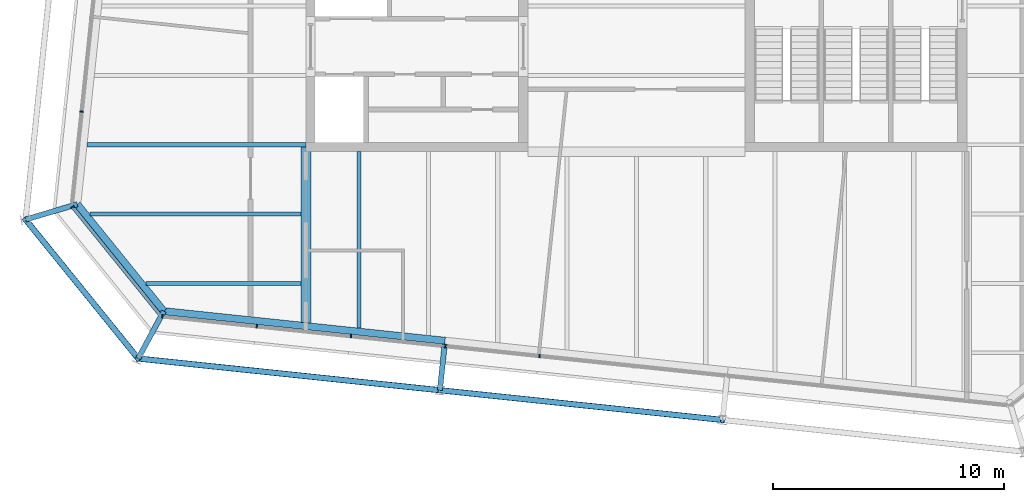
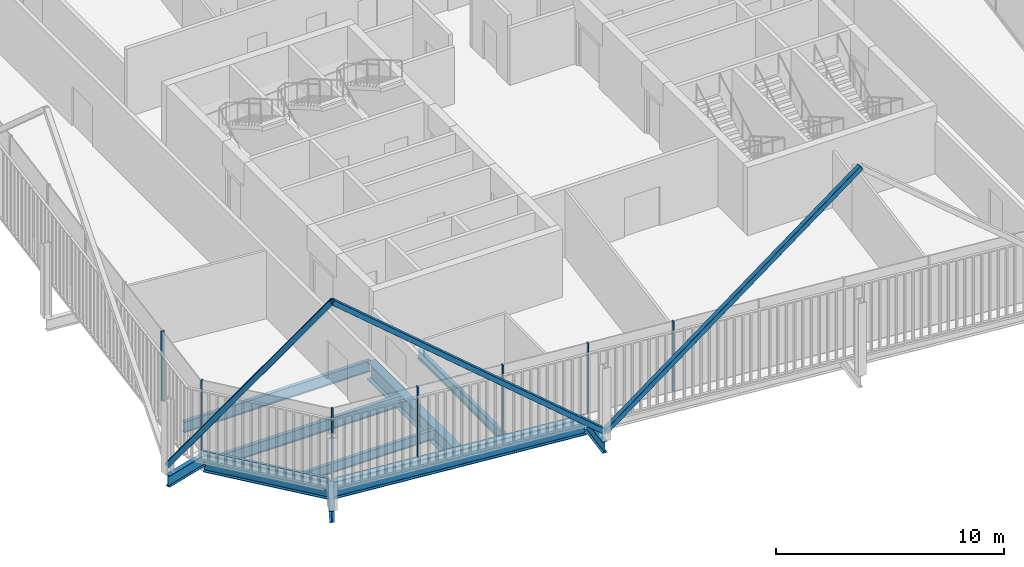
# One storey, part 3 of 21: 11 members, 10 beams, 3 elements without a shape of their own.
"""IFC4 building model written with IfcOpenShell, lengths in metres."""

from ifc_helpers import new_model, si_unit, direction, frame, origin, origin_2d, place, context, subcontext, project, spatial, rectangle, hollow_rectangle, i_section, extrude, material, layer, layer_set, material_profile, profile_set, type_object, element, aggregate, save


model = new_model("IFC4")

# Units and contexts
model_context = context("Model", 3, precision=1e-05, world=origin(), true_north=direction((0.0, 1.0)))
body_context = subcontext(model_context, "Body", "Model", "MODEL_VIEW")
ifc_project = project(units=[si_unit("LENGTHUNIT", "METRE"), si_unit("AREAUNIT", "SQUARE_METRE"), si_unit("VOLUMEUNIT", "CUBIC_METRE"), si_unit("PLANEANGLEUNIT", "RADIAN"), si_unit("MASSUNIT", "GRAM", prefix="KILO")], contexts=[model_context])

# Site, building, storey
site_placement = place(None, origin())
site = spatial("IfcSite", under=ifc_project, at=site_placement, CompositionType="ELEMENT")
building_placement = place(site_placement, origin())
building = spatial("IfcBuilding", under=site, at=building_placement, Name="Millrace Tower", CompositionType="ELEMENT")
storey_placement = place(building_placement, frame((0.0, 0.0, 307.199951171875)))
storey = spatial("IfcBuildingStorey", under=building, at=storey_placement, Name="L71", CompositionType="ELEMENT", Elevation=307.199951171875)

# Curtain wall, member
ifc_material_1 = material(Name="Aluminium and glass", Category="aluminium")
ifc_layer = layer(ifc_material_1, 0.14990234375)
ifc_layer_set = layer_set([ifc_layer], Name="Aluminium and glass")
curtain_wall_type = type_object("IfcCurtainWallType", Name="CW-1 office vision curtain wall", PredefinedType="NOTDEFINED", material=ifc_layer_set)
placement = place(storey_placement, origin())
curtain_wall_1 = element("IfcCurtainWall", 1, at=placement, inside=storey, type_object=curtain_wall_type, Name="Curtain wall E-F01 L71", PredefinedType="NOTDEFINED")
ifc_material_2 = material(Name="Aluminium", Category="aluminium")
ifc_material_profile_1 = material_profile(ifc_material_2, rectangle(XDim=0.06494140625, YDim=0.14990234375, at=origin_2d()))
ifc_profile_set_1 = profile_set([ifc_material_profile_1], Name="Aluminium")
member_type_1 = type_object("IfcMemberType", Name="CW-1 office vision curtain wall mullion", PredefinedType="MULLION", material=ifc_profile_set_1)
member_1_placement = place(storey_placement, frame((-24.391845703125, -11.693359375, 0.14013671875), z_axis=(0.0, 0.0, 1.0), x_axis=(0.629320278945, -0.777146052237, 0.0)))
member_1 = element("IfcMember", 2, at=member_1_placement, type_object=member_type_1, Name="CW1 mullion E-F01.1", PredefinedType="MULLION", context=body_context, shape_type="SweptSolid", body=[
    extrude(rectangle(XDim=0.06494140625, YDim=0.14990234375, at=origin_2d()), origin(), (0.0, 0.0, 1.0), 3.760009765625),
])

# Curtain wall, members
curtain_wall_2 = element("IfcCurtainWall", 3, at=placement, inside=storey, type_object=curtain_wall_type, Name="Curtain wall E-F02 L71", PredefinedType="NOTDEFINED")
member_2_placement = place(storey_placement, frame((-20.50244140625, -16.4248046875, 0.14013671875), z_axis=(0.0, 0.0, 1.0), x_axis=(0.994521896217, -0.104528455196, 0.0)))
member_2 = element("IfcMember", 4, at=member_2_placement, type_object=member_type_1, Name="CW1 mullion E-F02.1", PredefinedType="MULLION", context=body_context, shape_type="SweptSolid", body=[
    extrude(rectangle(XDim=0.06494140625, YDim=0.14990234375, at=origin_2d()), origin(), (0.0, 0.0, 1.0), 3.760009765625),
])
member_3_placement = place(storey_placement, frame((-16.425048828125, -16.853271484375, 0.14013671875), z_axis=(0.0, 0.0, 1.0), x_axis=(0.994521896217, -0.104528455196, 0.0)))
member_3 = element("IfcMember", 5, at=member_3_placement, type_object=member_type_1, Name="CW1 mullion E-F02.2", PredefinedType="MULLION", context=body_context, shape_type="SweptSolid", body=[
    extrude(rectangle(XDim=0.06494140625, YDim=0.14990234375, at=origin_2d()), origin(), (0.0, 0.0, 1.0), 3.760009765625),
])
member_4_placement = place(storey_placement, frame((-12.347412109375, -17.281982421875, 0.14013671875), z_axis=(0.0, 0.0, 1.0), x_axis=(0.994521896217, -0.104528455196, 0.0)))
member_4 = element("IfcMember", 6, at=member_4_placement, type_object=member_type_1, Name="CW1 mullion E-F02.3", PredefinedType="MULLION", context=body_context, shape_type="SweptSolid", body=[
    extrude(rectangle(XDim=0.06494140625, YDim=0.14990234375, at=origin_2d()), origin(), (0.0, 0.0, 1.0), 3.760009765625),
])
member_5_placement = place(storey_placement, frame((-8.269775390625, -17.71044921875, 0.14013671875), z_axis=(0.0, 0.0, 1.0), x_axis=(0.994521896217, -0.104528455196, 0.0)))
member_5 = element("IfcMember", 7, at=member_5_placement, type_object=member_type_1, Name="CW1 mullion E-F02.4", PredefinedType="MULLION", context=body_context, shape_type="SweptSolid", body=[
    extrude(rectangle(XDim=0.06494140625, YDim=0.14990234375, at=origin_2d()), origin(), (0.0, 0.0, 1.0), 3.760009765625),
])
member_6_placement = place(storey_placement, frame((-4.1923828125, -18.13916015625, 0.14013671875), z_axis=(0.0, 0.0, 1.0), x_axis=(0.994521896217, -0.104528455196, 0.0)))
member_6 = element("IfcMember", 8, at=member_6_placement, type_object=member_type_1, Name="CW1 mullion E-F02.5", PredefinedType="MULLION", context=body_context, shape_type="SweptSolid", body=[
    extrude(rectangle(XDim=0.06494140625, YDim=0.14990234375, at=origin_2d()), origin(), (0.0, 0.0, 1.0), 3.760009765625),
])
aggregate(curtain_wall_2, [member_2, member_3, member_4, member_5, member_6])

# Curtain wall, member
curtain_wall_3 = element("IfcCurtainWall", 9, at=placement, inside=storey, type_object=curtain_wall_type, Name="Curtain wall E-F08 L71", PredefinedType="NOTDEFINED")
member_7_placement = place(storey_placement, frame((-24.00341796875, -7.56787109375, 0.14013671875), z_axis=(0.0, 0.0, 1.0), x_axis=(-0.104528455196, -0.994521896217, 0.0)))
member_7 = element("IfcMember", 10, at=member_7_placement, type_object=member_type_1, Name="CW1 mullion E-F08.9", PredefinedType="MULLION", context=body_context, shape_type="SweptSolid", body=[
    extrude(rectangle(XDim=0.06494140625, YDim=0.14990234375, at=origin_2d()), origin(), (0.0, 0.0, 1.0), 3.760009765625),
])
aggregate(curtain_wall_3, [member_7])

# Member
ifc_material_3 = material(Name="Aluminium", Category="aluminium")
ifc_material_profile_2 = material_profile(ifc_material_3, rectangle(XDim=0.14990234375, YDim=0.139892578125, at=origin_2d()))
ifc_profile_set_2 = profile_set([ifc_material_profile_2], Name="Aluminium")
member_type_2 = type_object("IfcMemberType", Name="CW-1 office vision curtain wall transom", PredefinedType="USERDEFINED", material=ifc_profile_set_2)
member_8_placement = place(storey_placement, frame((-24.349365234375, -11.745849609375, 0.070068359375), z_axis=(0.629321221277, -0.777145289151, 0.0), x_axis=(0.777145289151, 0.629321221277, 0.0)))
member_8 = element("IfcMember", 11, at=member_8_placement, type_object=member_type_2, Name="CW1 transom E-F01.1", ObjectType="TRANSOM", PredefinedType="USERDEFINED", context=body_context, shape_type="SweptSolid", body=[
    extrude(rectangle(XDim=0.14990234375, YDim=0.139892578125, at=origin_2d()), origin(), (0.0, 0.0, 1.0), 5.881103515625),
])

aggregate(curtain_wall_1, [member_1, member_8])

# Members
ifc_material_4 = material(Name="Steel ASTM A500 Grade C", Category="steel")
ifc_material_profile_3 = material_profile(ifc_material_4, hollow_rectangle(XDim=0.25390625, YDim=0.25390625, WallThickness=0.009521484375, InnerFilletRadius=0.004638671875, OuterFilletRadius=0.014404296875, at=origin_2d()))
ifc_profile_set_3 = profile_set([ifc_material_profile_3], Name="Steel ASTM A500 Grade C")
member_type_3 = type_object("IfcMemberType", Name="Exoskeleton brace HSS10x10x3/8", PredefinedType="BRACE", material=ifc_profile_set_3)
member_9_placement = place(storey_placement, frame((-26.429443359375, -12.23583984375, 0.400146484375), z_axis=(0.368780552487, -0.455401272853, 0.810315114503), x_axis=(0.777142728993, 0.62932438279, 0.0)))
element("IfcMember", 12, at=member_9_placement, inside=storey, type_object=member_type_3, Name="BRC-E-L71-01", PredefinedType="BRACE", context=body_context, shape_type="SweptSolid", body=[
    extrude(hollow_rectangle(XDim=0.25390625, YDim=0.25390625, WallThickness=0.009521484375, InnerFilletRadius=0.004638671875, OuterFilletRadius=0.014404296875, at=origin_2d()), origin(), (0.0, 0.0, 1.0), 13.20458984375),
])
member_10_placement = place(storey_placement, frame((-8.50341796875, -19.62158203125, 0.400146484375), z_axis=(-0.770907361192, 0.081027511308, 0.631772413825), x_axis=(-0.104530865473, -0.994521642883, 0.0)))
element("IfcMember", 13, at=member_10_placement, inside=storey, type_object=member_type_3, Name="BRC-E-L71-02", PredefinedType="BRACE", context=body_context, shape_type="SweptSolid", body=[
    extrude(hollow_rectangle(XDim=0.25390625, YDim=0.25390625, WallThickness=0.009521484375, InnerFilletRadius=0.004638671875, OuterFilletRadius=0.014404296875, at=origin_2d()), origin(), (0.0, 0.0, 1.0), 16.936279296875),
])
member_11_placement = place(storey_placement, frame((-8.50341796875, -19.62158203125, 0.400146484375), z_axis=(0.750343296411, -0.078860548826, 0.656327625024), x_axis=(0.104523600289, 0.994522406476, 0.0)))
element("IfcMember", 14, at=member_11_placement, inside=storey, type_object=member_type_3, Name="BRC-E-L71-03", PredefinedType="BRACE", context=body_context, shape_type="SweptSolid", body=[
    extrude(hollow_rectangle(XDim=0.25390625, YDim=0.25390625, WallThickness=0.009521484375, InnerFilletRadius=0.004638671875, OuterFilletRadius=0.014404296875, at=origin_2d()), origin(), (0.0, 0.0, 1.0), 16.302734375),
])

# Beams
ifc_material_5 = material(Name="Steel ASTM A992 Grade 50", Category="steel")
ifc_material_profile_4 = material_profile(ifc_material_5, i_section(OverallWidth=0.1650390625, OverallDepth=0.52587890625, WebThickness=0.0087890625, FlangeThickness=0.011474609375, FilletRadius=0.0126953125, at=origin_2d()))
ifc_profile_set_4 = profile_set([ifc_material_profile_4], Name="Steel ASTM A992 Grade 50")
beam_type_1 = type_object("IfcBeamType", Name="Floor beam W21x44", PredefinedType="JOIST", material=ifc_profile_set_4)
beam_1_placement = place(storey_placement, frame((-12.0, -16.93408203125, -0.4228515625), z_axis=(0.0, 1.0, 0.0), x_axis=(-1.0, 0.0, 0.0)))
element("IfcBeam", 15, at=beam_1_placement, inside=storey, type_object=beam_type_1, Name="BM-E-L71-S1-S037", PredefinedType="JOIST", context=body_context, shape_type="SweptSolid", body=[
    extrude(i_section(OverallWidth=0.1650390625, OverallDepth=0.52587890625, WebThickness=0.0087890625, FlangeThickness=0.011474609375, FilletRadius=0.0126953125, at=origin_2d()), origin(), (0.0, 0.0, 1.0), 7.634033203125),
])
beam_2_placement = place(storey_placement, frame((-21.214111328125, -15.0, -0.4228515625), z_axis=(1.0, 0.0, 0.0), x_axis=(0.0, 1.0, 0.0)))
element("IfcBeam", 16, at=beam_2_placement, inside=storey, type_object=beam_type_1, Name="BM-E-L71-S1-S002", PredefinedType="JOIST", context=body_context, shape_type="SweptSolid", body=[
    extrude(i_section(OverallWidth=0.1650390625, OverallDepth=0.52587890625, WebThickness=0.0087890625, FlangeThickness=0.011474609375, FilletRadius=0.0126953125, at=origin_2d()), origin(), (0.0, 0.0, 1.0), 6.70458984375),
])
ifc_material_6 = material(Name="Steel ASTM A992 Grade 50", Category="steel")
ifc_material_profile_5 = material_profile(ifc_material_6, i_section(OverallWidth=0.177978515625, OverallDepth=0.599365234375, WebThickness=0.010009765625, FlangeThickness=0.012939453125, FilletRadius=0.012939453125, at=origin_2d()))
ifc_profile_set_5 = profile_set([ifc_material_profile_5], Name="Steel ASTM A992 Grade 50")
beam_type_2 = type_object("IfcBeamType", Name="Floor beam W24x55", PredefinedType="JOIST", material=ifc_profile_set_5)
beam_3_placement = place(storey_placement, frame((-23.76953125, -9.0, -0.459716796875), z_axis=(1.0, 0.0, 0.0), x_axis=(0.0, 1.0, 0.0)))
element("IfcBeam", 17, at=beam_3_placement, inside=storey, type_object=beam_type_2, Name="BM-E-L71-S1-S006", PredefinedType="JOIST", context=body_context, shape_type="SweptSolid", body=[
    extrude(i_section(OverallWidth=0.177978515625, OverallDepth=0.599365234375, WebThickness=0.010009765625, FlangeThickness=0.012939453125, FilletRadius=0.012939453125, at=origin_2d()), origin(), (0.0, 0.0, 1.0), 9.469482421875),
])
beam_4_placement = place(storey_placement, frame((-23.635498046875, -12.0, -0.459716796875), z_axis=(1.0, 0.0, 0.0), x_axis=(0.0, 1.0, 0.0)))
element("IfcBeam", 18, at=beam_4_placement, inside=storey, type_object=beam_type_2, Name="BM-E-L71-S1-S004", PredefinedType="JOIST", context=body_context, shape_type="SweptSolid", body=[
    extrude(i_section(OverallWidth=0.177978515625, OverallDepth=0.599365234375, WebThickness=0.010009765625, FlangeThickness=0.012939453125, FilletRadius=0.012939453125, at=origin_2d()), origin(), (0.0, 0.0, 1.0), 9.1259765625),
])
ifc_material_7 = material(Name="Steel ASTM A992 Grade 50", Category="steel")
ifc_material_profile_6 = material_profile(ifc_material_7, i_section(OverallWidth=0.419189453125, OverallDepth=0.927001953125, WebThickness=0.019287109375, FlangeThickness=0.031982421875, FilletRadius=0.024169921875, at=origin_2d()))
ifc_profile_set_6 = profile_set([ifc_material_profile_6], Name="Steel ASTM A992 Grade 50")
beam_type_3 = type_object("IfcBeamType", Name="Girder short span W36x231", PredefinedType="BEAM", material=ifc_profile_set_6)
beam_5_placement = place(storey_placement, frame((-14.300048828125, -16.6923828125, -0.62353515625), z_axis=(0.0, 1.0, 0.0), x_axis=(-1.0, 0.0, 0.0)))
element("IfcBeam", 19, at=beam_5_placement, inside=storey, type_object=beam_type_3, Name="BM-E-L71-S1-G055", PredefinedType="BEAM", context=body_context, shape_type="SweptSolid", body=[
    extrude(i_section(OverallWidth=0.419189453125, OverallDepth=0.927001953125, WebThickness=0.019287109375, FlangeThickness=0.031982421875, FilletRadius=0.024169921875, at=origin_2d()), origin(), (0.0, 0.0, 1.0), 7.600341796875),
])
ifc_material_8 = material(Name="Steel ASTM A992 Grade 50", Category="steel")
ifc_material_profile_7 = material_profile(ifc_material_8, i_section(OverallWidth=0.23046875, OverallDepth=0.6171875, WebThickness=0.01318359375, FlangeThickness=0.022216796875, FilletRadius=0.012939453125, at=origin_2d()))
ifc_profile_set_7 = profile_set([ifc_material_profile_7], Name="Steel ASTM A992 Grade 50")
beam_type_4 = type_object("IfcBeamType", Name="Link beam W24x94", PredefinedType="BEAM", material=ifc_profile_set_7)
beam_6_placement = place(storey_placement, frame((-24.1943359375, -11.57373046875, -0.468505859375), z_axis=(-0.958815015936, -0.284031275065, 0.0), x_axis=(0.284031275065, -0.958815015936, 0.0)))
element("IfcBeam", 20, at=beam_6_placement, inside=storey, type_object=beam_type_4, Name="LNK-E-L71-S1-01", PredefinedType="BEAM", context=body_context, shape_type="SweptSolid", body=[
    extrude(i_section(OverallWidth=0.23046875, OverallDepth=0.6171875, WebThickness=0.01318359375, FlangeThickness=0.022216796875, FilletRadius=0.012939453125, at=origin_2d()), origin(), (0.0, 0.0, 1.0), 2.3310546875),
])
beam_7_placement = place(storey_placement, frame((-8.29443359375, -17.632568359375, -0.468505859375), z_axis=(-0.104494148666, -0.99452550138, 0.0), x_axis=(0.99452550138, -0.104494148666, 0.0)))
element("IfcBeam", 21, at=beam_7_placement, inside=storey, type_object=beam_type_4, Name="LNK-E-L71-S1-15", PredefinedType="BEAM", context=body_context, shape_type="SweptSolid", body=[
    extrude(i_section(OverallWidth=0.23046875, OverallDepth=0.6171875, WebThickness=0.01318359375, FlangeThickness=0.022216796875, FilletRadius=0.012939453125, at=origin_2d()), origin(), (0.0, 0.0, 1.0), 2.0),
])
beam_8_placement = place(storey_placement, frame((-20.447509765625, -16.20068359375, -0.468505859375), z_axis=(-0.477163510307, -0.87881453358, 0.0), x_axis=(0.87881453358, -0.477163510307, 0.0)))
element("IfcBeam", 22, at=beam_8_placement, inside=storey, type_object=beam_type_4, Name="LNK-E-L71-S1-16", PredefinedType="BEAM", context=body_context, shape_type="SweptSolid", body=[
    extrude(i_section(OverallWidth=0.23046875, OverallDepth=0.6171875, WebThickness=0.01318359375, FlangeThickness=0.022216796875, FilletRadius=0.012939453125, at=origin_2d()), origin(), (0.0, 0.0, 1.0), 2.3310546875),
])
ifc_material_9 = material(Name="Steel ASTM A992 Grade 50", Category="steel")
ifc_material_profile_8 = material_profile(ifc_material_9, i_section(OverallWidth=0.307373046875, OverallDepth=0.927001953125, WebThickness=0.01953125, FlangeThickness=0.031982421875, FilletRadius=0.01904296875, at=origin_2d()))
ifc_profile_set_8 = profile_set([ifc_material_profile_8], Name="Steel ASTM A992 Grade 50")
beam_type_5 = type_object("IfcBeamType", Name="Ring beam medium span W36x194", PredefinedType="SPANDREL", material=ifc_profile_set_8)
beam_9_placement = place(storey_placement, frame((-8.2783203125, -17.479736328125, -0.62353515625), z_axis=(-0.994521730693, 0.104530030035, 0.0), x_axis=(-0.104530030035, -0.994521730693, 0.0)))
element("IfcBeam", 23, at=beam_9_placement, inside=storey, type_object=beam_type_5, Name="RNG-E-L71-S1-15", PredefinedType="SPANDREL", context=body_context, shape_type="SweptSolid", body=[
    extrude(i_section(OverallWidth=0.307373046875, OverallDepth=0.927001953125, WebThickness=0.01953125, FlangeThickness=0.031982421875, FilletRadius=0.01904296875, at=origin_2d()), origin(), (0.0, 0.0, 1.0), 12.236328125),
])
ifc_material_10 = material(Name="Steel ASTM A992 Grade 50", Category="steel")
ifc_material_profile_9 = material_profile(ifc_material_10, i_section(OverallWidth=0.307373046875, OverallDepth=0.927001953125, WebThickness=0.01953125, FlangeThickness=0.031982421875, FilletRadius=0.01904296875, at=origin_2d()))
ifc_profile_set_9 = profile_set([ifc_material_profile_9], Name="Steel ASTM A992 Grade 50")
beam_type_6 = type_object("IfcBeamType", Name="Ring beam short span W36x194", PredefinedType="SPANDREL", material=ifc_profile_set_9)
beam_10_placement = place(storey_placement, frame((-20.447509765625, -16.20068359375, -0.62353515625), z_axis=(-0.629319722443, 0.777146502883, 0.0), x_axis=(-0.777146502883, -0.629319722443, 0.0)))
element("IfcBeam", 24, at=beam_10_placement, inside=storey, type_object=beam_type_6, Name="RNG-E-L71-S1-16", PredefinedType="SPANDREL", context=body_context, shape_type="SweptSolid", body=[
    extrude(i_section(OverallWidth=0.307373046875, OverallDepth=0.927001953125, WebThickness=0.01953125, FlangeThickness=0.031982421875, FilletRadius=0.01904296875, at=origin_2d()), origin(), (0.0, 0.0, 1.0), 5.953857421875),
])

save(model, "model.ifc")
